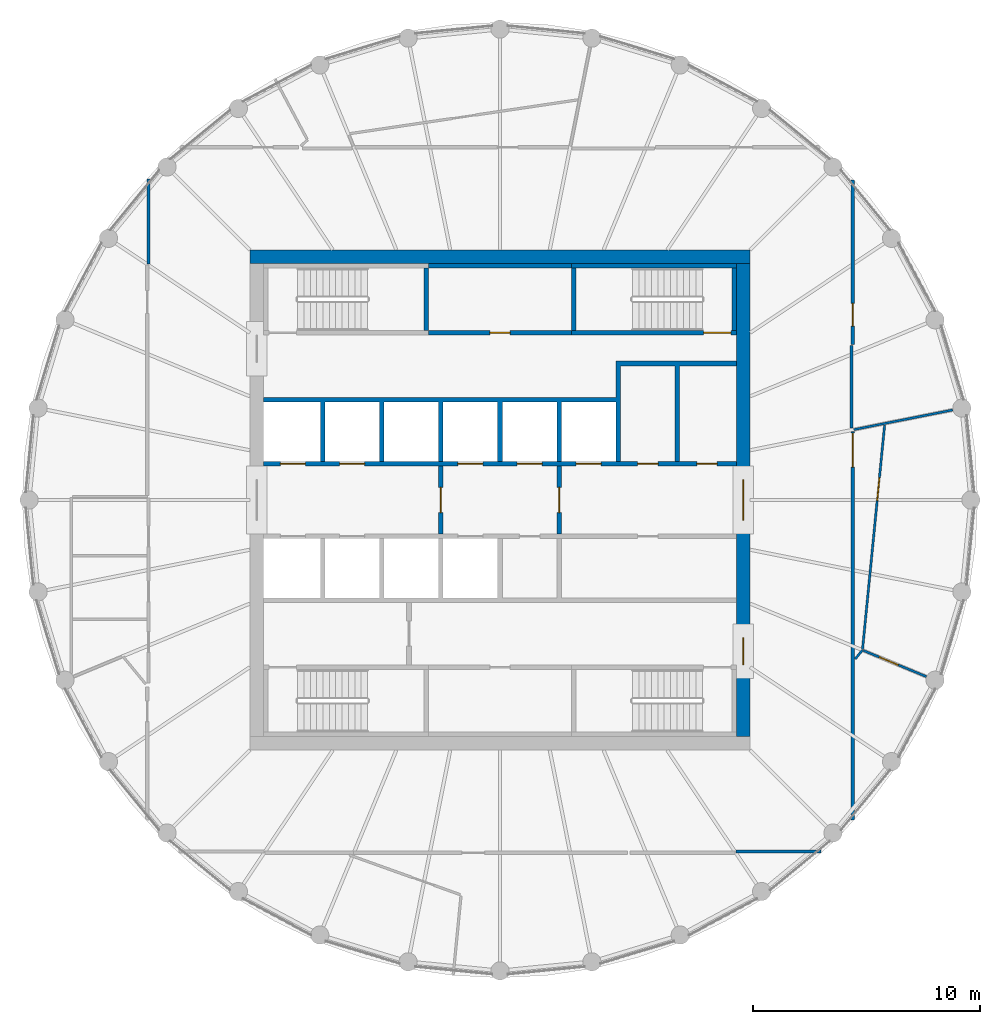
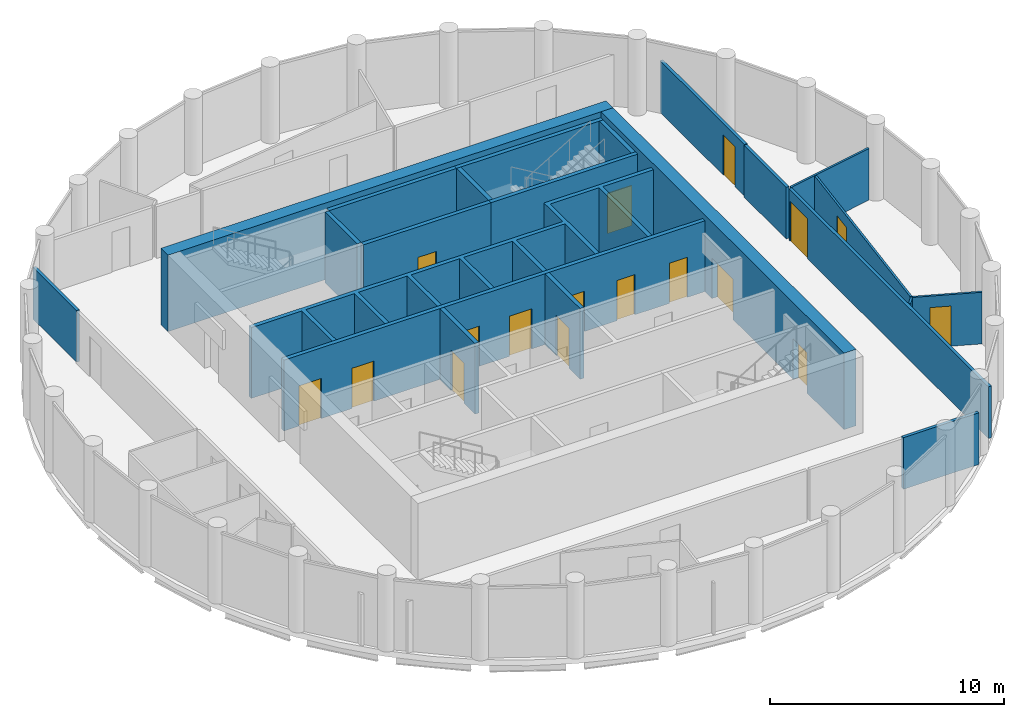
# One storey, part 5 of 7: 22 walls, 17 doors, 17 openings.
"""IFC4 building model written with IfcOpenShell, lengths in metres."""

from ifc_helpers import new_model, si_unit, direction, frame, frame_2d, origin, place, context, subcontext, project, spatial, polyline, rectangle, outline, extrude, material, layer, layer_set, type_object, element, fill, save


model = new_model("IFC4")

# Units and contexts
model_context = context("Model", 3, precision=1e-05, world=origin(), true_north=direction((0.0, 1.0)))
body_context = subcontext(model_context, "Body", "Model", "MODEL_VIEW")
ifc_project = project(units=[si_unit("LENGTHUNIT", "METRE"), si_unit("AREAUNIT", "SQUARE_METRE"), si_unit("VOLUMEUNIT", "CUBIC_METRE"), si_unit("PLANEANGLEUNIT", "RADIAN"), si_unit("MASSUNIT", "GRAM", prefix="KILO")], contexts=[model_context])

# Site, building, storey
site_placement = place(None, origin())
site = spatial("IfcSite", under=ifc_project, at=site_placement, CompositionType="ELEMENT")
building_placement = place(site_placement, origin())
building = spatial("IfcBuilding", under=site, at=building_placement, Name="Corvane Civic Tower", CompositionType="ELEMENT")
storey_placement = place(building_placement, frame((0.0, 0.0, 344.5)))
storey = spatial("IfcBuildingStorey", under=building, at=storey_placement, Name="L82", CompositionType="ELEMENT", Elevation=344.5)

# Wall
ifc_material_1 = material(Name="Concrete C40/50", Category="concrete")
ifc_layer_1 = layer(ifc_material_1, 0.60009765625)
ifc_layer_set_1 = layer_set([ifc_layer_1], Name="Concrete C40/50")
wall_type_1 = type_object("IfcWallType", Name="CORE WALL 600 C40/50", PredefinedType="SHEAR", material=ifc_layer_set_1)
wall_1_placement = place(storey_placement, frame((-11.0, 10.699951171875, 0.0), z_axis=(0.0, 0.0, 1.0), x_axis=(1.0, 0.0, 0.0)))
element("IfcWall", 1, at=wall_1_placement, inside=storey, type_object=wall_type_1, Name="W-L82-core-N", PredefinedType="SHEAR", context=body_context, shape_type="SweptSolid", body=[
    extrude(rectangle(XDim=22.0, YDim=0.60009765625, at=frame_2d((11.0, 0.0))), origin(), (0.0, 0.0, 1.0), 4.0),
])

# Wall, openings, doors
wall_2_placement = place(storey_placement, frame((10.699951171875, -10.39990234375, 0.0), z_axis=(0.0, 0.0, 1.0), x_axis=(0.0, 1.0, 0.0)))
wall_2 = element("IfcWall", 2, at=wall_2_placement, inside=storey, type_object=wall_type_1, Name="W-L82-core-E", PredefinedType="SHEAR", context=body_context, shape_type="SweptSolid", body=[
    extrude(rectangle(XDim=20.7998046875, YDim=0.60009765625, at=frame_2d((10.39990234375, 0.0))), origin(), (0.0, 0.0, 1.0), 4.0),
])
opening_1_placement = place(wall_2_placement, frame((9.5, 0.0, 0.0)))
opening_1 = element("IfcOpeningElement", 3, at=opening_1_placement, cuts=wall_2, Name="Opening L82.C15", PredefinedType="OPENING", context=body_context, shape_type="SweptSolid", body=[
    extrude(rectangle(XDim=1.800048828125, YDim=2.10009765625, at=frame_2d((0.89990234375, 1.050048828125))), frame((0.0, 0.31005859375, 0.0), z_axis=(0.0, -1.0, 0.0), x_axis=(1.0, 0.0, 0.0)), (0.0, 0.0, 1.0), 0.6201171875),
])
opening_2_placement = place(wall_2_placement, frame((3.14990234375, 0.0, 0.0)))
opening_2 = element("IfcOpeningElement", 4, at=opening_2_placement, cuts=wall_2, Name="Opening L82.C17", PredefinedType="OPENING", context=body_context, shape_type="SweptSolid", body=[
    extrude(rectangle(XDim=1.199951171875, YDim=2.10009765625, at=frame_2d((0.60009765625, 1.050048828125))), frame((0.0, 0.31005859375, 0.0), z_axis=(0.0, -1.0, 0.0), x_axis=(1.0, 0.0, 0.0)), (0.0, 0.0, 1.0), 0.6201171875),
])
ifc_material_2 = material(Name="Steel fire door leaf", Category="steel")
door_type_1 = type_object("IfcDoorType", Name="CR-DOOR-CORE-1800", OperationType="DOUBLE_DOOR_SINGLE_SWING", PredefinedType="DOOR", material=ifc_material_2)
door_1_placement = place(opening_1_placement, origin())
door_1 = element("IfcDoor", 5, at=door_1_placement, inside=storey, type_object=door_type_1, Name="L82 door", OperationType="DOUBLE_DOOR_SINGLE_SWING", OverallHeight=2.10009765625, OverallWidth=1.800048828125, PredefinedType="DOOR", context=body_context, shape_type="SweptSolid", body=[
    extrude(rectangle(XDim=1.800048828125, YDim=2.10009765625, at=frame_2d((0.89990234375, 1.050048828125))), frame((0.0, 0.02490234375, 0.0), z_axis=(0.0, -1.0, 0.0), x_axis=(1.0, 0.0, 0.0)), (0.0, 0.0, 1.0), 0.050048828125),
])
fill(opening_1, door_1)
door_2_placement = place(opening_2_placement, origin())
door_2 = element("IfcDoor", 6, at=door_2_placement, inside=storey, type_object=door_type_1, Name="L82 door", OperationType="DOUBLE_DOOR_SINGLE_SWING", OverallHeight=2.10009765625, OverallWidth=1.199951171875, PredefinedType="DOOR", context=body_context, shape_type="SweptSolid", body=[
    extrude(rectangle(XDim=1.199951171875, YDim=2.10009765625, at=frame_2d((0.60009765625, 1.050048828125))), frame((0.0, 0.02490234375, 0.0), z_axis=(0.0, -1.0, 0.0), x_axis=(1.0, 0.0, 0.0)), (0.0, 0.0, 1.0), 0.050048828125),
])
fill(opening_2, door_2)

ifc_material_3 = material(Name="Concrete C30/37", Category="concrete")
ifc_layer_2 = layer(ifc_material_3, 0.199951171875)
ifc_layer_set_2 = layer_set([ifc_layer_2], Name="Concrete C30/37")
wall_type_2 = type_object("IfcWallType", Name="CR-WALL-200", PredefinedType="PARTITIONING", material=ifc_layer_set_2)
wall_3_placement = place(storey_placement, frame((-10.39990234375, 1.60009765625, 0.0), z_axis=(0.0, 0.0, 1.0), x_axis=(1.0, 0.0, 0.0)))
wall_3 = element("IfcWall", 7, at=wall_3_placement, inside=storey, type_object=wall_type_2, Name="L82 lift shaft wall", PredefinedType="PARTITIONING", context=body_context, shape_type="SweptSolid", body=[
    extrude(rectangle(XDim=20.7998046875, YDim=0.199951171875, at=frame_2d((10.39990234375, 0.0))), origin(), (0.0, 0.0, 1.0), 3.699951171875),
])
opening_3_placement = place(wall_3_placement, frame((0.75, 0.0, 0.0)))
opening_3 = element("IfcOpeningElement", 8, at=opening_3_placement, cuts=wall_3, Name="Opening LD", PredefinedType="OPENING", context=body_context, shape_type="SweptSolid", body=[
    extrude(rectangle(XDim=1.10009765625, YDim=2.10009765625, at=frame_2d((0.550048828125, 1.050048828125))), frame((0.0, 0.10986328125, 0.0), z_axis=(0.0, -1.0, 0.0), x_axis=(1.0, 0.0, 0.0)), (0.0, 0.0, 1.0), 0.219970703125),
])
opening_4_placement = place(wall_3_placement, frame((3.35009765625, 0.0, 0.0)))
opening_4 = element("IfcOpeningElement", 9, at=opening_4_placement, cuts=wall_3, Name="Opening LD", PredefinedType="OPENING", context=body_context, shape_type="SweptSolid", body=[
    extrude(rectangle(XDim=1.10009765625, YDim=2.10009765625, at=frame_2d((0.550048828125, 1.050048828125))), frame((0.0, 0.10986328125, 0.0), z_axis=(0.0, -1.0, 0.0), x_axis=(1.0, 0.0, 0.0)), (0.0, 0.0, 1.0), 0.219970703125),
])
opening_5_placement = place(wall_3_placement, frame((8.550048828125, 0.0, 0.0)))
opening_5 = element("IfcOpeningElement", 10, at=opening_5_placement, cuts=wall_3, Name="Opening LD", PredefinedType="OPENING", context=body_context, shape_type="SweptSolid", body=[
    extrude(rectangle(XDim=1.10009765625, YDim=2.10009765625, at=frame_2d((0.550048828125, 1.050048828125))), frame((0.0, 0.10986328125, 0.0), z_axis=(0.0, -1.0, 0.0), x_axis=(1.0, 0.0, 0.0)), (0.0, 0.0, 1.0), 0.219970703125),
])
opening_6_placement = place(wall_3_placement, frame((11.14990234375, 0.0, 0.0)))
opening_6 = element("IfcOpeningElement", 11, at=opening_6_placement, cuts=wall_3, Name="Opening LD", PredefinedType="OPENING", context=body_context, shape_type="SweptSolid", body=[
    extrude(rectangle(XDim=1.10009765625, YDim=2.10009765625, at=frame_2d((0.550048828125, 1.050048828125))), frame((0.0, 0.10986328125, 0.0), z_axis=(0.0, -1.0, 0.0), x_axis=(1.0, 0.0, 0.0)), (0.0, 0.0, 1.0), 0.219970703125),
])
opening_7_placement = place(wall_3_placement, frame((13.75, 0.0, 0.0)))
opening_7 = element("IfcOpeningElement", 12, at=opening_7_placement, cuts=wall_3, Name="Opening LD", PredefinedType="OPENING", context=body_context, shape_type="SweptSolid", body=[
    extrude(rectangle(XDim=1.10009765625, YDim=2.10009765625, at=frame_2d((0.550048828125, 1.050048828125))), frame((0.0, 0.10986328125, 0.0), z_axis=(0.0, -1.0, 0.0), x_axis=(1.0, 0.0, 0.0)), (0.0, 0.0, 1.0), 0.219970703125),
])
opening_8_placement = place(wall_3_placement, frame((16.449951171875, 0.0, 0.0)))
opening_8 = element("IfcOpeningElement", 13, at=opening_8_placement, cuts=wall_3, Name="Opening L82.C01", PredefinedType="OPENING", context=body_context, shape_type="SweptSolid", body=[
    extrude(rectangle(XDim=0.89990234375, YDim=2.10009765625, at=frame_2d((0.449951171875, 1.050048828125))), frame((0.0, 0.10986328125, 0.0), z_axis=(0.0, -1.0, 0.0), x_axis=(1.0, 0.0, 0.0)), (0.0, 0.0, 1.0), 0.219970703125),
])
opening_9_placement = place(wall_3_placement, frame((19.050048828125, 0.0, 0.0)))
opening_9 = element("IfcOpeningElement", 14, at=opening_9_placement, cuts=wall_3, Name="Opening L82.C02", PredefinedType="OPENING", context=body_context, shape_type="SweptSolid", body=[
    extrude(rectangle(XDim=0.89990234375, YDim=2.10009765625, at=frame_2d((0.449951171875, 1.050048828125))), frame((0.0, 0.10986328125, 0.0), z_axis=(0.0, -1.0, 0.0), x_axis=(1.0, 0.0, 0.0)), (0.0, 0.0, 1.0), 0.219970703125),
])
ifc_material_4 = material(Name="Steel fire door leaf", Category="steel")
door_type_2 = type_object("IfcDoorType", Name="CR-DOOR-900", OperationType="SINGLE_SWING_LEFT", PredefinedType="DOOR", material=ifc_material_4)
door_3_placement = place(opening_8_placement, origin())
door_3 = element("IfcDoor", 15, at=door_3_placement, inside=storey, type_object=door_type_2, Name="L82 door", OperationType="SINGLE_SWING_LEFT", OverallHeight=2.10009765625, OverallWidth=0.89990234375, PredefinedType="DOOR", context=body_context, shape_type="SweptSolid", body=[
    extrude(rectangle(XDim=0.89990234375, YDim=2.10009765625, at=frame_2d((0.449951171875, 1.050048828125))), frame((0.0, 0.02490234375, 0.0), z_axis=(0.0, -1.0, 0.0), x_axis=(1.0, 0.0, 0.0)), (0.0, 0.0, 1.0), 0.050048828125),
])
fill(opening_8, door_3)
door_4_placement = place(opening_9_placement, origin())
door_4 = element("IfcDoor", 16, at=door_4_placement, inside=storey, type_object=door_type_2, Name="L82 door", OperationType="SINGLE_SWING_LEFT", OverallHeight=2.10009765625, OverallWidth=0.89990234375, PredefinedType="DOOR", context=body_context, shape_type="SweptSolid", body=[
    extrude(rectangle(XDim=0.89990234375, YDim=2.10009765625, at=frame_2d((0.449951171875, 1.050048828125))), frame((0.0, 0.02490234375, 0.0), z_axis=(0.0, -1.0, 0.0), x_axis=(1.0, 0.0, 0.0)), (0.0, 0.0, 1.0), 0.050048828125),
])
fill(opening_9, door_4)
ifc_material_5 = material(Name="Stainless steel 316 door leaves", Category="steel")
door_type_3 = type_object("IfcDoorType", Name="LD", OperationType="DOUBLE_DOOR_SLIDING", PredefinedType="DOOR", material=ifc_material_5)
door_5_placement = place(opening_3_placement, origin())
door_5 = element("IfcDoor", 17, at=door_5_placement, inside=storey, type_object=door_type_3, Name="L82 landing door", OperationType="DOUBLE_DOOR_SLIDING", OverallHeight=2.10009765625, OverallWidth=1.10009765625, PredefinedType="DOOR", context=body_context, shape_type="SweptSolid", body=[
    extrude(rectangle(XDim=1.10009765625, YDim=2.10009765625, at=frame_2d((0.550048828125, 1.050048828125))), frame((0.0, 0.02490234375, 0.0), z_axis=(0.0, -1.0, 0.0), x_axis=(1.0, 0.0, 0.0)), (0.0, 0.0, 1.0), 0.050048828125),
])
fill(opening_3, door_5)
door_6_placement = place(opening_4_placement, origin())
door_6 = element("IfcDoor", 18, at=door_6_placement, inside=storey, type_object=door_type_3, Name="L82 landing door", OperationType="DOUBLE_DOOR_SLIDING", OverallHeight=2.10009765625, OverallWidth=1.10009765625, PredefinedType="DOOR", context=body_context, shape_type="SweptSolid", body=[
    extrude(rectangle(XDim=1.10009765625, YDim=2.10009765625, at=frame_2d((0.550048828125, 1.050048828125))), frame((0.0, 0.02490234375, 0.0), z_axis=(0.0, -1.0, 0.0), x_axis=(1.0, 0.0, 0.0)), (0.0, 0.0, 1.0), 0.050048828125),
])
fill(opening_4, door_6)
door_7_placement = place(opening_5_placement, origin())
door_7 = element("IfcDoor", 19, at=door_7_placement, inside=storey, type_object=door_type_3, Name="L82 landing door", OperationType="DOUBLE_DOOR_SLIDING", OverallHeight=2.10009765625, OverallWidth=1.10009765625, PredefinedType="DOOR", context=body_context, shape_type="SweptSolid", body=[
    extrude(rectangle(XDim=1.10009765625, YDim=2.10009765625, at=frame_2d((0.550048828125, 1.050048828125))), frame((0.0, 0.02490234375, 0.0), z_axis=(0.0, -1.0, 0.0), x_axis=(1.0, 0.0, 0.0)), (0.0, 0.0, 1.0), 0.050048828125),
])
fill(opening_5, door_7)
door_8_placement = place(opening_6_placement, origin())
door_8 = element("IfcDoor", 20, at=door_8_placement, inside=storey, type_object=door_type_3, Name="L82 landing door", OperationType="DOUBLE_DOOR_SLIDING", OverallHeight=2.10009765625, OverallWidth=1.10009765625, PredefinedType="DOOR", context=body_context, shape_type="SweptSolid", body=[
    extrude(rectangle(XDim=1.10009765625, YDim=2.10009765625, at=frame_2d((0.550048828125, 1.050048828125))), frame((0.0, 0.02490234375, 0.0), z_axis=(0.0, -1.0, 0.0), x_axis=(1.0, 0.0, 0.0)), (0.0, 0.0, 1.0), 0.050048828125),
])
fill(opening_6, door_8)
door_9_placement = place(opening_7_placement, origin())
door_9 = element("IfcDoor", 21, at=door_9_placement, inside=storey, type_object=door_type_3, Name="L82 landing door", OperationType="DOUBLE_DOOR_SLIDING", OverallHeight=2.10009765625, OverallWidth=1.10009765625, PredefinedType="DOOR", context=body_context, shape_type="SweptSolid", body=[
    extrude(rectangle(XDim=1.10009765625, YDim=2.10009765625, at=frame_2d((0.550048828125, 1.050048828125))), frame((0.0, 0.02490234375, 0.0), z_axis=(0.0, -1.0, 0.0), x_axis=(1.0, 0.0, 0.0)), (0.0, 0.0, 1.0), 0.050048828125),
])
fill(opening_7, door_9)

# Wall, opening, door
wall_4_placement = place(storey_placement, frame((-3.14990234375, 7.35009765625, 0.0), z_axis=(0.0, 0.0, 1.0), x_axis=(1.0, 0.0, 0.0)))
wall_4 = element("IfcWall", 22, at=wall_4_placement, inside=storey, type_object=wall_type_2, Name="L82 core partition wall", PredefinedType="PARTITIONING", context=body_context, shape_type="SweptSolid", body=[
    extrude(rectangle(XDim=6.2998046875, YDim=0.199951171875, at=frame_2d((3.14990234375, 0.0))), origin(), (0.0, 0.0, 1.0), 3.699951171875),
])
opening_10_placement = place(wall_4_placement, frame((2.699951171875, 0.0, 0.0)))
opening_10 = element("IfcOpeningElement", 23, at=opening_10_placement, cuts=wall_4, Name="Opening L82.C05", PredefinedType="OPENING", context=body_context, shape_type="SweptSolid", body=[
    extrude(rectangle(XDim=0.89990234375, YDim=2.10009765625, at=frame_2d((0.449951171875, 1.050048828125))), frame((0.0, 0.10986328125, 0.0), z_axis=(0.0, -1.0, 0.0), x_axis=(1.0, 0.0, 0.0)), (0.0, 0.0, 1.0), 0.219970703125),
])
door_10_placement = place(opening_10_placement, origin())
door_10 = element("IfcDoor", 24, at=door_10_placement, inside=storey, type_object=door_type_2, Name="L82 door", OperationType="SINGLE_SWING_LEFT", OverallHeight=2.10009765625, OverallWidth=0.89990234375, PredefinedType="DOOR", context=body_context, shape_type="SweptSolid", body=[
    extrude(rectangle(XDim=0.89990234375, YDim=2.10009765625, at=frame_2d((0.449951171875, 1.050048828125))), frame((0.0, 0.02490234375, 0.0), z_axis=(0.0, -1.0, 0.0), x_axis=(1.0, 0.0, 0.0)), (0.0, 0.0, 1.0), 0.050048828125),
])
fill(opening_10, door_10)

wall_5_placement = place(storey_placement, frame((-2.60009765625, -1.5, 0.0), z_axis=(0.0, 0.0, 1.0), x_axis=(0.0, 1.0, 0.0)))
wall_5 = element("IfcWall", 25, at=wall_5_placement, inside=storey, type_object=wall_type_2, Name="L82 firefighting lobby wall", PredefinedType="PARTITIONING", context=body_context, shape_type="SweptSolid", body=[
    extrude(rectangle(XDim=3.0, YDim=0.199951171875, at=frame_2d((1.5, 0.0))), origin(), (0.0, 0.0, 1.0), 3.699951171875),
])
opening_11_placement = place(wall_5_placement, frame((0.949951171875, 0.0, 0.0)))
opening_11 = element("IfcOpeningElement", 26, at=opening_11_placement, cuts=wall_5, Name="Opening L82.C11", PredefinedType="OPENING", context=body_context, shape_type="SweptSolid", body=[
    extrude(rectangle(XDim=1.10009765625, YDim=2.10009765625, at=frame_2d((0.550048828125, 1.050048828125))), frame((0.0, 0.10986328125, 0.0), z_axis=(0.0, -1.0, 0.0), x_axis=(1.0, 0.0, 0.0)), (0.0, 0.0, 1.0), 0.219970703125),
])
ifc_material_6 = material(Name="Steel fire door leaf", Category="steel")
door_type_4 = type_object("IfcDoorType", Name="CR-DOOR-FFL-1100", OperationType="SINGLE_SWING_LEFT", PredefinedType="DOOR", material=ifc_material_6)
door_11_placement = place(opening_11_placement, origin())
door_11 = element("IfcDoor", 27, at=door_11_placement, inside=storey, type_object=door_type_4, Name="L82 lobby door", OperationType="SINGLE_SWING_LEFT", OverallHeight=2.10009765625, OverallWidth=1.10009765625, PredefinedType="DOOR", context=body_context, shape_type="SweptSolid", body=[
    extrude(rectangle(XDim=1.10009765625, YDim=2.10009765625, at=frame_2d((0.550048828125, 1.050048828125))), frame((0.0, 0.02490234375, 0.0), z_axis=(0.0, -1.0, 0.0), x_axis=(1.0, 0.0, 0.0)), (0.0, 0.0, 1.0), 0.050048828125),
])
fill(opening_11, door_11)

wall_6_placement = place(storey_placement, frame((2.60009765625, -1.5, 0.0), z_axis=(0.0, 0.0, 1.0), x_axis=(0.0, 1.0, 0.0)))
wall_6 = element("IfcWall", 28, at=wall_6_placement, inside=storey, type_object=wall_type_2, Name="L82 firefighting lobby wall", PredefinedType="PARTITIONING", context=body_context, shape_type="SweptSolid", body=[
    extrude(rectangle(XDim=3.0, YDim=0.199951171875, at=frame_2d((1.5, 0.0))), origin(), (0.0, 0.0, 1.0), 3.699951171875),
])
opening_12_placement = place(wall_6_placement, frame((0.949951171875, 0.0, 0.0)))
opening_12 = element("IfcOpeningElement", 29, at=opening_12_placement, cuts=wall_6, Name="Opening L82.C12", PredefinedType="OPENING", context=body_context, shape_type="SweptSolid", body=[
    extrude(rectangle(XDim=1.10009765625, YDim=2.10009765625, at=frame_2d((0.550048828125, 1.050048828125))), frame((0.0, 0.10986328125, 0.0), z_axis=(0.0, -1.0, 0.0), x_axis=(1.0, 0.0, 0.0)), (0.0, 0.0, 1.0), 0.219970703125),
])
door_12_placement = place(opening_12_placement, origin())
door_12 = element("IfcDoor", 30, at=door_12_placement, inside=storey, type_object=door_type_4, Name="L82 lobby door", OperationType="SINGLE_SWING_LEFT", OverallHeight=2.10009765625, OverallWidth=1.10009765625, PredefinedType="DOOR", context=body_context, shape_type="SweptSolid", body=[
    extrude(rectangle(XDim=1.10009765625, YDim=2.10009765625, at=frame_2d((0.550048828125, 1.050048828125))), frame((0.0, 0.02490234375, 0.0), z_axis=(0.0, -1.0, 0.0), x_axis=(1.0, 0.0, 0.0)), (0.0, 0.0, 1.0), 0.050048828125),
])
fill(opening_12, door_12)

# Walls
wall_7_placement = place(storey_placement, origin())
element("IfcWall", 31, at=wall_7_placement, inside=storey, type_object=wall_type_2, Name="L82 core partition wall", PredefinedType="PARTITIONING", context=body_context, shape_type="SweptSolid", body=[
    extrude(outline(polyline([(3.14990234375, 10.199951171875), (-3.14990234375, 10.199951171875), (-3.14990234375, 10.39990234375), (3.14990234375, 10.39990234375), (3.14990234375, 10.199951171875)])), origin(), (0.0, 0.0, 1.0), 3.699951171875),
])
wall_8_placement = place(storey_placement, origin())
element("IfcWall", 32, at=wall_8_placement, inside=storey, type_object=wall_type_2, Name="L82 core partition wall", PredefinedType="PARTITIONING", context=body_context, shape_type="SweptSolid", body=[
    extrude(outline(polyline([(-10.39990234375, 4.300048828125), (-10.39990234375, 4.5), (5.10009765625, 4.5), (5.10009765625, 6.10009765625), (10.39990234375, 6.10009765625), (10.39990234375, 5.89990234375), (7.89990234375, 5.89990234375), (7.89990234375, 1.699951171875), (7.699951171875, 1.699951171875), (7.699951171875, 5.89990234375), (5.300048828125, 5.89990234375), (5.300048828125, 1.699951171875), (5.10009765625, 1.699951171875), (5.10009765625, 4.300048828125), (2.699951171875, 4.300048828125), (2.699951171875, 1.699951171875), (2.5, 1.699951171875), (2.5, 4.300048828125), (0.10009765625, 4.300048828125), (0.10009765625, 1.699951171875), (-0.10009765625, 1.699951171875), (-0.10009765625, 4.300048828125), (-2.5, 4.300048828125), (-2.5, 1.699951171875), (-2.699951171875, 1.699951171875), (-2.699951171875, 4.300048828125), (-5.10009765625, 4.300048828125), (-5.10009765625, 1.699951171875), (-5.300048828125, 1.699951171875), (-5.300048828125, 4.300048828125), (-7.699951171875, 4.300048828125), (-7.699951171875, 1.699951171875), (-7.89990234375, 1.699951171875), (-7.89990234375, 4.300048828125), (-10.39990234375, 4.300048828125)])), origin(), (0.0, 0.0, 1.0), 3.699951171875),
])

# Wall, opening, door
ifc_material_7 = material(Name="Plasterboard")
ifc_layer_3 = layer(ifc_material_7, 0.10009765625)
ifc_layer_set_3 = layer_set([ifc_layer_3], Name="Plasterboard")
wall_type_3 = type_object("IfcWallType", Name="Partition 100 plasterboard on studs", PredefinedType="PARTITIONING", material=ifc_layer_set_3)
wall_9_placement = place(storey_placement, frame((15.96728515625, -6.61376953125, 0.0), z_axis=(0.0, 0.0, 1.0), x_axis=(0.923872366395, -0.382700732442, 0.0)))
wall_9 = element("IfcWall", 33, at=wall_9_placement, inside=storey, type_object=wall_type_3, Name="Partition L82.013", PredefinedType="PARTITIONING", context=body_context, shape_type="SweptSolid", body=[
    extrude(rectangle(XDim=3.00732421875, YDim=0.10009765625, at=frame_2d((1.503662109375, 0.0))), origin(), (0.0, 0.0, 1.0), 2.699951171875),
])
opening_13_placement = place(wall_9_placement, frame((0.763916015625, 0.0, 0.0)))
opening_13 = element("IfcOpeningElement", 34, at=opening_13_placement, cuts=wall_9, Name="Opening L82.002", PredefinedType="OPENING", context=body_context, shape_type="SweptSolid", body=[
    extrude(rectangle(XDim=0.89990234375, YDim=2.10009765625, at=frame_2d((0.449951171875, 1.050048828125))), frame((0.0, 0.06005859375, 0.0), z_axis=(0.0, -1.0, 0.0), x_axis=(1.0, 0.0, 0.0)), (0.0, 0.0, 1.0), 0.1201171875),
])
ifc_material_8 = material(Name="Timber", Category="wood")
door_type_5 = type_object("IfcDoorType", Name="Single door 900", OperationType="NOTDEFINED", PredefinedType="DOOR", material=ifc_material_8)
door_13_placement = place(opening_13_placement, frame((0.89990234375, 0.0, 0.0), z_axis=(0.0, 0.0, 1.0), x_axis=(-1.0, 0.0, 0.0)))
door_13 = element("IfcDoor", 35, at=door_13_placement, inside=storey, type_object=door_type_5, Name="Door L82.002", OperationType="SINGLE_SWING_LEFT", OverallHeight=2.10009765625, OverallWidth=0.89990234375, PredefinedType="DOOR", context=body_context, shape_type="SweptSolid", body=[
    extrude(rectangle(XDim=0.89990234375, YDim=2.10009765625, at=frame_2d((0.449951171875, 1.050048828125))), frame((0.0, 0.02490234375, 0.0), z_axis=(0.0, -1.0, 0.0), x_axis=(1.0, 0.0, 0.0)), (0.0, 0.0, 1.0), 0.050048828125),
])
fill(opening_13, door_13)

wall_10_placement = place(storey_placement, frame((15.9365234375, -6.562744140625, 0.0), z_axis=(0.0, 0.0, 1.0), x_axis=(0.098022697044, 0.995184179368, 0.0)))
wall_10 = element("IfcWall", 36, at=wall_10_placement, inside=storey, type_object=wall_type_3, Name="Partition L82.015", PredefinedType="PARTITIONING", context=body_context, shape_type="SweptSolid", body=[
    extrude(rectangle(XDim=9.90771484375, YDim=0.10009765625, at=frame_2d((4.953857421875, 0.0))), origin(), (0.0, 0.0, 1.0), 2.699951171875),
])
opening_14_placement = place(wall_10_placement, frame((6.572021484375, 0.0, 0.0)))
opening_14 = element("IfcOpeningElement", 37, at=opening_14_placement, cuts=wall_10, Name="Opening L82.001", PredefinedType="OPENING", context=body_context, shape_type="SweptSolid", body=[
    extrude(rectangle(XDim=1.0, YDim=2.10009765625, at=frame_2d((0.5, 1.050048828125))), frame((0.0, 0.06005859375, 0.0), z_axis=(0.0, -1.0, 0.0), x_axis=(1.0, 0.0, 0.0)), (0.0, 0.0, 1.0), 0.1201171875),
])
ifc_material_9 = material(Name="Timber", Category="wood")
door_type_6 = type_object("IfcDoorType", Name="Single door 1000", OperationType="NOTDEFINED", PredefinedType="DOOR", material=ifc_material_9)
door_14_placement = place(opening_14_placement, frame((1.0, 0.0, 0.0), z_axis=(0.0, 0.0, 1.0), x_axis=(-1.0, 0.0, 0.0)))
door_14 = element("IfcDoor", 38, at=door_14_placement, inside=storey, type_object=door_type_6, Name="Door L82.001", OperationType="SINGLE_SWING_LEFT", OverallHeight=2.10009765625, OverallWidth=1.0, PredefinedType="DOOR", context=body_context, shape_type="SweptSolid", body=[
    extrude(rectangle(XDim=1.0, YDim=2.10009765625, at=frame_2d((0.5, 1.050048828125))), frame((0.0, 0.02490234375, 0.0), z_axis=(0.0, -1.0, 0.0), x_axis=(1.0, 0.0, 0.0)), (0.0, 0.0, 1.0), 0.050048828125),
])
fill(opening_14, door_14)

# Walls
wall_11_placement = place(storey_placement, frame((15.5498046875, 3.093017578125, 0.0), z_axis=(0.0, 0.0, 1.0), x_axis=(0.980779166012, 0.195121058618, 0.0)))
element("IfcWall", 39, at=wall_11_placement, inside=storey, type_object=wall_type_3, Name="Partition L82.020", PredefinedType="PARTITIONING", context=body_context, shape_type="SweptSolid", body=[
    extrude(rectangle(XDim=4.435546875, YDim=0.10009765625, at=frame_2d((2.2177734375, 0.0))), origin(), (0.0, 0.0, 1.0), 2.699951171875),
])
wall_12_placement = place(storey_placement, frame((15.614990234375, -6.987060546875, 0.0), z_axis=(0.0, 0.0, 1.0), x_axis=(0.634271819433, 0.773110120922, 0.0)))
element("IfcWall", 40, at=wall_12_placement, inside=storey, type_object=wall_type_3, Name="Partition L82.034", PredefinedType="PARTITIONING", context=body_context, shape_type="SweptSolid", body=[
    extrude(rectangle(XDim=0.501220703125, YDim=0.10009765625, at=frame_2d((0.25048828125, 0.0))), origin(), (0.0, 0.0, 1.0), 2.699951171875),
])

# Wall, opening, door
ifc_material_10 = material(Name="Concrete C50/60", Category="concrete")
ifc_layer_4 = layer(ifc_material_10, 0.199951171875)
ifc_layer_set_4 = layer_set([ifc_layer_4], Name="Concrete C50/60")
wall_type_4 = type_object("IfcWallType", Name="ST-WALL-200", PredefinedType="SHEAR", material=ifc_layer_set_4)
wall_13_placement = place(storey_placement, frame((3.14990234375, 7.35009765625, 0.0), z_axis=(0.0, 0.0, 1.0), x_axis=(1.0, 0.0, 0.0)))
wall_13 = element("IfcWall", 41, at=wall_13_placement, inside=storey, type_object=wall_type_4, Name="L82 stair enclosure wall", PredefinedType="SHEAR", context=body_context, shape_type="SweptSolid", body=[
    extrude(rectangle(XDim=7.25, YDim=0.199951171875, at=frame_2d((3.625, 0.0))), origin(), (0.0, 0.0, 1.0), 3.699951171875),
])
opening_15_placement = place(wall_13_placement, frame((5.800048828125, 0.0, 0.0)))
opening_15 = element("IfcOpeningElement", 42, at=opening_15_placement, cuts=wall_13, Name="Opening L82.C07", PredefinedType="OPENING", context=body_context, shape_type="SweptSolid", body=[
    extrude(rectangle(XDim=1.199951171875, YDim=2.10009765625, at=frame_2d((0.60009765625, 1.050048828125))), frame((0.0, 0.10986328125, 0.0), z_axis=(0.0, -1.0, 0.0), x_axis=(1.0, 0.0, 0.0)), (0.0, 0.0, 1.0), 0.219970703125),
])
ifc_material_11 = material(Name="Steel fire door leaf", Category="steel")
door_type_7 = type_object("IfcDoorType", Name="ST-DOOR-1200", OperationType="SINGLE_SWING_RIGHT", PredefinedType="DOOR", material=ifc_material_11)
door_15_placement = place(opening_15_placement, origin())
door_15 = element("IfcDoor", 43, at=door_15_placement, inside=storey, type_object=door_type_7, Name="L82 stair door", OperationType="SINGLE_SWING_RIGHT", OverallHeight=2.10009765625, OverallWidth=1.199951171875, PredefinedType="DOOR", context=body_context, shape_type="SweptSolid", body=[
    extrude(rectangle(XDim=1.199951171875, YDim=2.10009765625, at=frame_2d((0.60009765625, 1.050048828125))), frame((0.0, 0.02490234375, 0.0), z_axis=(0.0, -1.0, 0.0), x_axis=(1.0, 0.0, 0.0)), (0.0, 0.0, 1.0), 0.050048828125),
])
fill(opening_15, door_15)

# Walls
wall_14_placement = place(storey_placement, origin())
element("IfcWall", 44, at=wall_14_placement, inside=storey, type_object=wall_type_4, Name="L82 stair enclosure wall", PredefinedType="SHEAR", context=body_context, shape_type="SweptSolid", body=[
    extrude(outline(polyline([(10.39990234375, 10.199951171875), (3.14990234375, 10.199951171875), (3.14990234375, 10.39990234375), (10.39990234375, 10.39990234375), (10.39990234375, 10.199951171875)])), origin(), (0.0, 0.0, 1.0), 3.699951171875),
])
wall_15_placement = place(storey_placement, origin())
element("IfcWall", 45, at=wall_15_placement, inside=storey, type_object=wall_type_4, Name="L82 stair enclosure wall", PredefinedType="SHEAR", context=body_context, shape_type="SweptSolid", body=[
    extrude(outline(polyline([(-3.14990234375, 7.449951171875), (-3.35009765625, 7.449951171875), (-3.35009765625, 10.199951171875), (-3.14990234375, 10.199951171875), (-3.14990234375, 7.449951171875)])), origin(), (0.0, 0.0, 1.0), 3.699951171875),
])
wall_16_placement = place(storey_placement, origin())
element("IfcWall", 46, at=wall_16_placement, inside=storey, type_object=wall_type_4, Name="L82 stair enclosure wall", PredefinedType="SHEAR", context=body_context, shape_type="SweptSolid", body=[
    extrude(outline(polyline([(3.35009765625, 7.449951171875), (3.14990234375, 7.449951171875), (3.14990234375, 10.199951171875), (3.35009765625, 10.199951171875), (3.35009765625, 7.449951171875)])), origin(), (0.0, 0.0, 1.0), 3.699951171875),
])
wall_17_placement = place(storey_placement, origin())
element("IfcWall", 47, at=wall_17_placement, inside=storey, type_object=wall_type_4, Name="L82 stair enclosure wall", PredefinedType="SHEAR", context=body_context, shape_type="SweptSolid", body=[
    extrude(outline(polyline([(10.39990234375, 7.449951171875), (10.199951171875, 7.449951171875), (10.199951171875, 10.199951171875), (10.39990234375, 10.199951171875), (10.39990234375, 7.449951171875)])), origin(), (0.0, 0.0, 1.0), 3.699951171875),
])
ifc_material_12 = material(Name="Plasterboard")
ifc_layer_5 = layer(ifc_material_12, 0.14990234375)
ifc_layer_set_5 = layer_set([ifc_layer_5], Name="Plasterboard")
wall_type_5 = type_object("IfcWallType", Name="Tenancy wall 150 EI 60", PredefinedType="PARTITIONING", material=ifc_layer_set_5)
wall_18_placement = place(storey_placement, frame((10.380859375, -15.449951171875, 0.0), z_axis=(0.0, 0.0, 1.0), x_axis=(1.0, 0.0, 0.0)))
element("IfcWall", 48, at=wall_18_placement, inside=storey, type_object=wall_type_5, Name="Partition L82.007", PredefinedType="PARTITIONING", context=body_context, shape_type="SweptSolid", body=[
    extrude(rectangle(XDim=3.7314453125, YDim=0.14990234375, at=frame_2d((1.86572265625, 0.0))), origin(), (0.0, 0.0, 1.0), 2.699951171875),
])

# Wall, opening, door
wall_19_placement = place(storey_placement, frame((15.5, -14.05712890625, 0.0), z_axis=(0.0, 0.0, 1.0), x_axis=(0.0, 1.0, 0.0)))
wall_19 = element("IfcWall", 49, at=wall_19_placement, inside=storey, type_object=wall_type_5, Name="Partition L82.009", PredefinedType="PARTITIONING", context=body_context, shape_type="SweptSolid", body=[
    extrude(rectangle(XDim=17.07861328125, YDim=0.14990234375, at=frame_2d((8.539306640625, 0.0))), origin(), (0.0, 0.0, 1.0), 2.699951171875),
])
opening_16_placement = place(wall_19_placement, frame((15.50048828125, 0.0, 0.0)))
opening_16 = element("IfcOpeningElement", 50, at=opening_16_placement, cuts=wall_19, Name="Opening L82.003", PredefinedType="OPENING", context=body_context, shape_type="SweptSolid", body=[
    extrude(rectangle(XDim=1.5, YDim=2.10009765625, at=frame_2d((0.75, 1.050048828125))), frame((0.0, 0.0849609375, 0.0), z_axis=(0.0, -1.0, 0.0), x_axis=(1.0, 0.0, 0.0)), (0.0, 0.0, 1.0), 0.169921875),
])
ifc_material_13 = material(Name="Steel and timber", Category="steel")
door_type_8 = type_object("IfcDoorType", Name="Fire door FD60 double 1500", OperationType="NOTDEFINED", PredefinedType="DOOR", material=ifc_material_13)
door_16_placement = place(opening_16_placement, frame((1.5, 0.0, 0.0), z_axis=(0.0, 0.0, 1.0), x_axis=(-1.0, 0.0, 0.0)))
door_16 = element("IfcDoor", 51, at=door_16_placement, inside=storey, type_object=door_type_8, Name="Door L82.003", OperationType="DOUBLE_DOOR_SINGLE_SWING", OverallHeight=2.10009765625, OverallWidth=1.5, PredefinedType="DOOR", context=body_context, shape_type="SweptSolid", body=[
    extrude(rectangle(XDim=1.5, YDim=2.10009765625, at=frame_2d((0.75, 1.050048828125))), frame((0.0, 0.02490234375, 0.0), z_axis=(0.0, -1.0, 0.0), x_axis=(1.0, 0.0, 0.0)), (0.0, 0.0, 1.0), 0.050048828125),
])
fill(opening_16, door_16)

# Wall
wall_20_placement = place(storey_placement, frame((15.449951171875, 3.16455078125, 0.0), z_axis=(0.0, 0.0, 1.0), x_axis=(0.0, 1.0, 0.0)))
element("IfcWall", 52, at=wall_20_placement, inside=storey, type_object=wall_type_5, Name="Partition L82.021", PredefinedType="PARTITIONING", context=body_context, shape_type="SweptSolid", body=[
    extrude(rectangle(XDim=3.616455078125, YDim=0.14990234375, at=frame_2d((1.80810546875, 0.0))), origin(), (0.0, 0.0, 1.0), 2.699951171875),
])

# Wall, opening, door
wall_21_placement = place(storey_placement, frame((15.5, 6.8310546875, 0.0), z_axis=(0.0, 0.0, 1.0), x_axis=(0.0, 1.0, 0.0)))
wall_21 = element("IfcWall", 53, at=wall_21_placement, inside=storey, type_object=wall_type_5, Name="Partition L82.022", PredefinedType="PARTITIONING", context=body_context, shape_type="SweptSolid", body=[
    extrude(rectangle(XDim=7.22607421875, YDim=0.14990234375, at=frame_2d((3.613037109375, 0.0))), origin(), (0.0, 0.0, 1.0), 2.699951171875),
])
opening_17_placement = place(wall_21_placement, frame((0.8125, 0.0, 0.0)))
opening_17 = element("IfcOpeningElement", 54, at=opening_17_placement, cuts=wall_21, Name="Opening L82.015", PredefinedType="OPENING", context=body_context, shape_type="SweptSolid", body=[
    extrude(rectangle(XDim=1.0, YDim=2.10009765625, at=frame_2d((0.5, 1.050048828125))), frame((0.0, 0.0849609375, 0.0), z_axis=(0.0, -1.0, 0.0), x_axis=(1.0, 0.0, 0.0)), (0.0, 0.0, 1.0), 0.169921875),
])
ifc_material_14 = material(Name="Steel and timber", Category="steel")
door_type_9 = type_object("IfcDoorType", Name="Fire door FD30S 1000", OperationType="NOTDEFINED", PredefinedType="DOOR", material=ifc_material_14)
door_17_placement = place(opening_17_placement, frame((1.0, 0.0, 0.0), z_axis=(0.0, 0.0, 1.0), x_axis=(-1.0, 0.0, 0.0)))
door_17 = element("IfcDoor", 55, at=door_17_placement, inside=storey, type_object=door_type_9, Name="Door L82.015", OperationType="SINGLE_SWING_RIGHT", OverallHeight=2.10009765625, OverallWidth=1.0, PredefinedType="DOOR", context=body_context, shape_type="SweptSolid", body=[
    extrude(rectangle(XDim=1.0, YDim=2.10009765625, at=frame_2d((0.5, 1.050048828125))), frame((0.0, 0.02490234375, 0.0), z_axis=(0.0, -1.0, 0.0), x_axis=(1.0, 0.0, 0.0)), (0.0, 0.0, 1.0), 0.050048828125),
])
fill(opening_17, door_17)

# Wall
wall_22_placement = place(storey_placement, frame((-15.449951171875, 10.380859375, 0.0), z_axis=(0.0, 0.0, 1.0), x_axis=(0.0, 1.0, 0.0)))
element("IfcWall", 56, at=wall_22_placement, inside=storey, type_object=wall_type_5, Name="Partition L82.023", PredefinedType="PARTITIONING", context=body_context, shape_type="SweptSolid", body=[
    extrude(rectangle(XDim=3.7314453125, YDim=0.14990234375, at=frame_2d((1.86572265625, 0.0))), origin(), (0.0, 0.0, 1.0), 2.699951171875),
])

save(model, "model.ifc")
